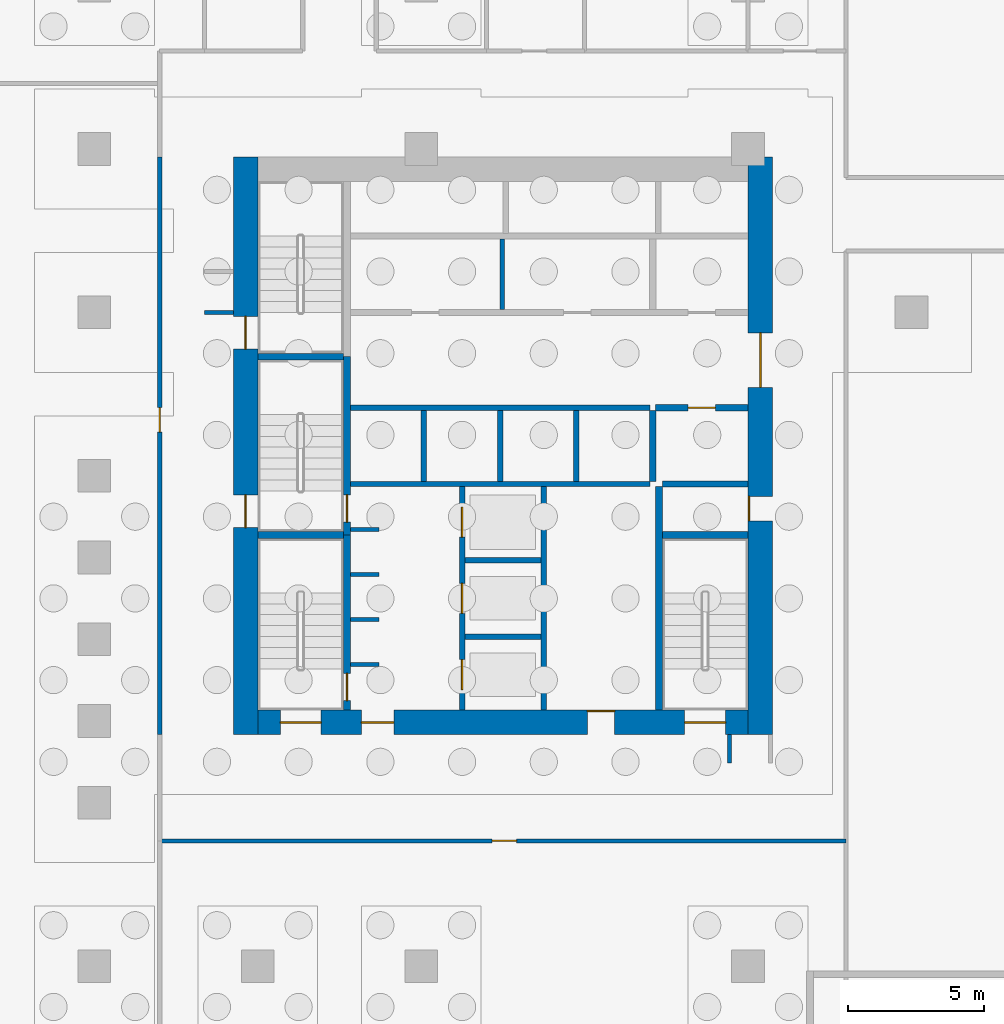
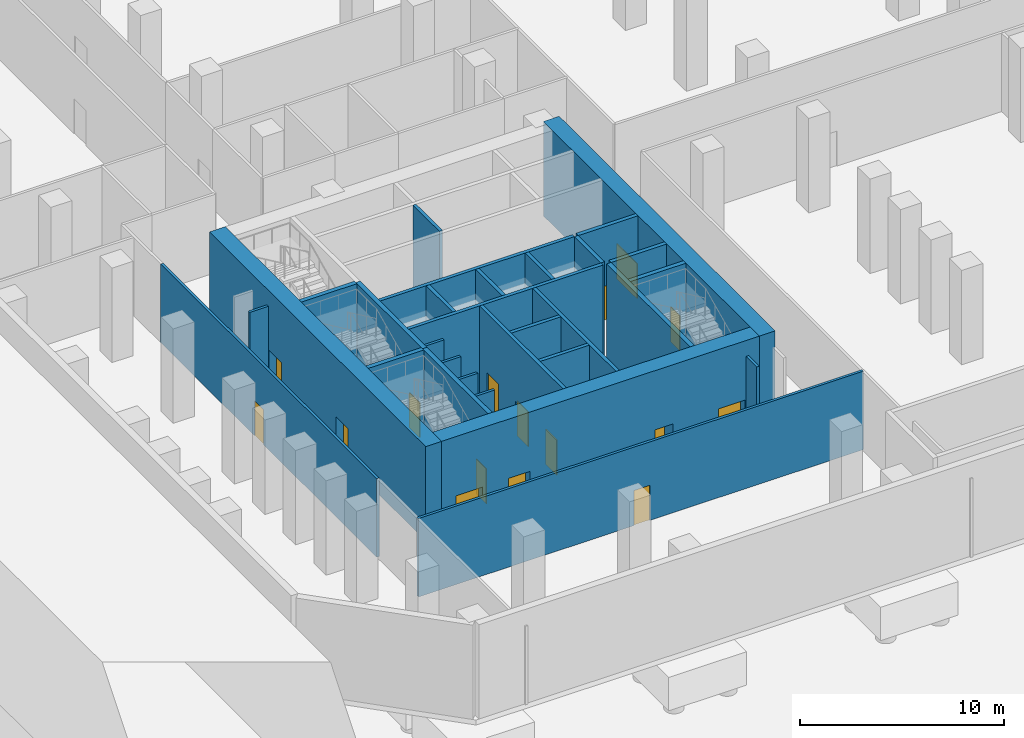
# One storey, part 5 of 16: 30 walls, 16 doors, 16 openings.
"""IFC4 building model written with IfcOpenShell, lengths in metres."""

from ifc_helpers import new_model, si_unit, direction, frame, frame_2d, origin, place, context, subcontext, project, spatial, rectangle, extrude, material, layer, layer_set, type_object, element, fill, save


model = new_model("IFC4")

# Units and contexts
model_context = context("Model", 3, precision=1e-05, world=origin(), true_north=direction((0.0, 1.0)))
body_context = subcontext(model_context, "Body", "Model", "MODEL_VIEW")
ifc_project = project(units=[si_unit("LENGTHUNIT", "METRE"), si_unit("AREAUNIT", "SQUARE_METRE"), si_unit("VOLUMEUNIT", "CUBIC_METRE"), si_unit("PLANEANGLEUNIT", "RADIAN"), si_unit("MASSUNIT", "GRAM", prefix="KILO")], contexts=[model_context])

# Site, building, storey
site_placement = place(None, origin())
site = spatial("IfcSite", under=ifc_project, at=site_placement, CompositionType="ELEMENT")
building_placement = place(site_placement, origin())
building = spatial("IfcBuilding", under=site, at=building_placement, Name="Welwitschia Terrace Campus", CompositionType="ELEMENT")
storey_placement = place(building_placement, frame((0.0, 0.0, -6.0)))
storey = spatial("IfcBuildingStorey", under=building, at=storey_placement, Name="B1", CompositionType="ELEMENT", Elevation=-6.0)

# Walls
ifc_material_1 = material(Name="Concrete C32/40", Category="concrete")
ifc_layer_1 = layer(ifc_material_1, 0.175048828125)
ifc_layer_set_1 = layer_set([ifc_layer_1], Name="Concrete C32/40")
wall_type_1 = type_object("IfcWallType", Name="Core partition 175 Concrete C32/40", PredefinedType="PARTITIONING", material=ifc_layer_set_1)
wall_1_placement = place(storey_placement, frame((14.97509765625, 20.10009765625, 0.0), z_axis=(0.0, 0.0, 1.0), x_axis=(0.0, 1.0, 0.0)))
element("IfcWall", 1, at=wall_1_placement, inside=storey, type_object=wall_type_1, Name="Core partition", PredefinedType="PARTITIONING", context=body_context, shape_type="SweptSolid", body=[
    extrude(rectangle(XDim=2.599853515625, YDim=0.175048828125, at=frame_2d((1.2998046875, 0.0))), origin(), (0.0, 0.0, 1.0), 5.64990234375),
])
ifc_material_2 = material(Name="Concrete C32/40", Category="concrete")
ifc_layer_2 = layer(ifc_material_2, 0.22509765625)
ifc_layer_set_2 = layer_set([ifc_layer_2], Name="Concrete C32/40")
wall_type_2 = type_object("IfcWallType", Name="Core partition 225 Concrete C32/40", PredefinedType="PARTITIONING", material=ifc_layer_set_2)
wall_2_placement = place(storey_placement, frame((20.85009765625, 13.699951171875, 0.0), z_axis=(0.0, 0.0, 1.0), x_axis=(1.0, 0.0, 0.0)))
element("IfcWall", 2, at=wall_2_placement, inside=storey, type_object=wall_type_2, Name="Core partition", PredefinedType="PARTITIONING", context=body_context, shape_type="SweptSolid", body=[
    extrude(rectangle(XDim=3.14990234375, YDim=0.22509765625, at=frame_2d((1.574951171875, 0.0))), origin(), (0.0, 0.0, 1.0), 5.64990234375),
])

# Wall, opening, door
wall_3_placement = place(storey_placement, frame((20.60009765625, 16.5, 0.0), z_axis=(0.0, 0.0, 1.0), x_axis=(1.0, 0.0, 0.0)))
wall_3 = element("IfcWall", 3, at=wall_3_placement, inside=storey, type_object=wall_type_2, Name="Core partition", PredefinedType="PARTITIONING", context=body_context, shape_type="SweptSolid", body=[
    extrude(rectangle(XDim=3.39990234375, YDim=0.22509765625, at=frame_2d((1.699951171875, 0.0))), origin(), (0.0, 0.0, 1.0), 5.64990234375),
])
opening_1_placement = place(wall_3_placement, frame((1.199951171875, 0.0, 0.0)))
opening_1 = element("IfcOpeningElement", 4, at=opening_1_placement, cuts=wall_3, Name="Opening DR10", PredefinedType="OPENING", context=body_context, shape_type="SweptSolid", body=[
    extrude(rectangle(XDim=1.0, YDim=2.10009765625, at=frame_2d((0.5, 1.050048828125))), frame((0.0, 0.12255859375, 0.0), z_axis=(0.0, -1.0, 0.0), x_axis=(1.0, 0.0, 0.0)), (0.0, 0.0, 1.0), 0.2451171875),
])
ifc_material_3 = material(Name="Steel S275", Category="steel")
door_type_1 = type_object("IfcDoorType", Name="Core door DR10", OperationType="SINGLE_SWING_LEFT", PredefinedType="DOOR", material=ifc_material_3)
door_1_placement = place(opening_1_placement, origin())
door_1 = element("IfcDoor", 5, at=door_1_placement, inside=storey, type_object=door_type_1, Name="Door EL-D", OperationType="SINGLE_SWING_RIGHT", OverallHeight=2.10009765625, OverallWidth=1.0, PredefinedType="DOOR", context=body_context, shape_type="SweptSolid", body=[
    extrude(rectangle(XDim=1.0, YDim=2.10009765625, at=frame_2d((0.5, 1.050048828125))), frame((0.0, 0.02490234375, 0.0), z_axis=(0.0, -1.0, 0.0), x_axis=(1.0, 0.0, 0.0)), (0.0, 0.0, 1.0), 0.050048828125),
])
fill(opening_1, door_1)

# Walls
wall_4_placement = place(storey_placement, frame((20.5, 13.800048828125, 0.0), z_axis=(0.0, 0.0, 1.0), x_axis=(0.0, 1.0, 0.0)))
element("IfcWall", 6, at=wall_4_placement, inside=storey, type_object=wall_type_2, Name="Shaft wall", PredefinedType="PARTITIONING", context=body_context, shape_type="SweptSolid", body=[
    extrude(rectangle(XDim=2.599853515625, YDim=0.22509765625, at=frame_2d((1.2998046875, 0.0))), origin(), (0.0, 0.0, 1.0), 5.64990234375),
])
ifc_material_4 = material(Name="Concrete C50/60", Category="concrete")
ifc_layer_3 = layer(ifc_material_4, 0.14990234375)
ifc_layer_set_3 = layer_set([ifc_layer_3], Name="Concrete C50/60")
wall_type_3 = type_object("IfcWallType", Name="Core wall 150 Concrete C50/60", PredefinedType="SHEAR", material=ifc_layer_set_3)
for number, where, z_axis, x_axis, name in (
    (7, (9.39990234375, 7.074951171875, 0.0), (0.0, 0.0, 1.0), (1.0, 0.0, 0.0), "Core wall"),
    (8, (9.39990234375, 8.72509765625, 0.0), (0.0, 0.0, 1.0), (1.0, 0.0, 0.0), "Core wall"),
    (9, (9.39990234375, 10.375, 0.0), (0.0, 0.0, 1.0), (1.0, 0.0, 0.0), "Core wall"),
    (10, (9.39990234375, 12.02490234375, 0.0), (0.0, 0.0, 1.0), (1.0, 0.0, 0.0), "Core wall"),
):
    element("IfcWall", number, at=place(storey_placement, frame(where, z_axis=z_axis, x_axis=x_axis)), inside=storey, type_object=wall_type_3, Name=name, PredefinedType="SHEAR", context=body_context, shape_type="SweptSolid", body=[
        extrude(rectangle(XDim=1.050048828125, YDim=0.14990234375, at=frame_2d((0.52490234375, 0.0))), origin(), (0.0, 0.0, 1.0), 5.64990234375),
    ])
ifc_material_5 = material(Name="Concrete C50/60", Category="concrete")
ifc_layer_4 = layer(ifc_material_5, 0.199951171875)
ifc_layer_set_4 = layer_set([ifc_layer_4], Name="Concrete C50/60")
wall_type_4 = type_object("IfcWallType", Name="Core wall 200 Concrete C50/60", PredefinedType="SHEAR", material=ifc_layer_set_4)
for number, where, z_axis, x_axis, name in (
    (11, (13.60009765625, 8.10009765625, 0.0), (0.0, 0.0, 1.0), (1.0, 0.0, 0.0), "Core wall"),
    (12, (13.60009765625, 10.89990234375, 0.0), (0.0, 0.0, 1.0), (1.0, 0.0, 0.0), "Core wall"),
):
    element("IfcWall", number, at=place(storey_placement, frame(where, z_axis=z_axis, x_axis=x_axis)), inside=storey, type_object=wall_type_4, Name=name, PredefinedType="SHEAR", context=body_context, shape_type="SweptSolid", body=[
        extrude(rectangle(XDim=2.7998046875, YDim=0.199951171875, at=frame_2d((1.39990234375, 0.0))), origin(), (0.0, 0.0, 1.0), 5.64990234375),
    ])
for number, where, z_axis, x_axis, name in (
    (13, (9.39990234375, 13.699951171875, 0.0), (0.0, 0.0, 1.0), (1.0, 0.0, 0.0), "Core wall"),
    (14, (9.39990234375, 16.5, 0.0), (0.0, 0.0, 1.0), (1.0, 0.0, 0.0), "Core wall"),
):
    element("IfcWall", number, at=place(storey_placement, frame(where, z_axis=z_axis, x_axis=x_axis)), inside=storey, type_object=wall_type_4, Name=name, PredefinedType="SHEAR", context=body_context, shape_type="SweptSolid", body=[
        extrude(rectangle(XDim=11.0, YDim=0.199951171875, at=frame_2d((5.5, 0.0))), origin(), (0.0, 0.0, 1.0), 5.64990234375),
    ])
wall_5_placement = place(storey_placement, frame((12.10009765625, 13.800048828125, 0.0), z_axis=(0.0, 0.0, 1.0), x_axis=(0.0, 1.0, 0.0)))
element("IfcWall", 15, at=wall_5_placement, inside=storey, type_object=wall_type_4, Name="Core wall", PredefinedType="SHEAR", context=body_context, shape_type="SweptSolid", body=[
    extrude(rectangle(XDim=2.599853515625, YDim=0.199951171875, at=frame_2d((1.2998046875, 0.0))), origin(), (0.0, 0.0, 1.0), 5.64990234375),
])

# Wall, openings, doors
wall_6_placement = place(storey_placement, frame((13.5, 5.39990234375, 0.0), z_axis=(0.0, 0.0, 1.0), x_axis=(0.0, 1.0, 0.0)))
wall_6 = element("IfcWall", 16, at=wall_6_placement, inside=storey, type_object=wall_type_4, Name="Core wall", PredefinedType="SHEAR", context=body_context, shape_type="SweptSolid", body=[
    extrude(rectangle(XDim=8.2001953125, YDim=0.199951171875, at=frame_2d((4.10009765625, 0.0))), origin(), (0.0, 0.0, 1.0), 5.64990234375),
])
opening_2_placement = place(wall_6_placement, frame((0.75, 0.0, 0.0)))
opening_2 = element("IfcOpeningElement", 17, at=opening_2_placement, cuts=wall_6, Name="Opening LD", PredefinedType="OPENING", context=body_context, shape_type="SweptSolid", body=[
    extrude(rectangle(XDim=1.10009765625, YDim=2.10009765625, at=frame_2d((0.550048828125, 1.050048828125))), frame((0.0, 0.10986328125, 0.0), z_axis=(0.0, -1.0, 0.0), x_axis=(1.0, 0.0, 0.0)), (0.0, 0.0, 1.0), 0.219970703125),
])
opening_3_placement = place(wall_6_placement, frame((3.550048828125, 0.0, 0.0)))
opening_3 = element("IfcOpeningElement", 18, at=opening_3_placement, cuts=wall_6, Name="Opening LD", PredefinedType="OPENING", context=body_context, shape_type="SweptSolid", body=[
    extrude(rectangle(XDim=1.10009765625, YDim=2.10009765625, at=frame_2d((0.550048828125, 1.050048828125))), frame((0.0, 0.10986328125, 0.0), z_axis=(0.0, -1.0, 0.0), x_axis=(1.0, 0.0, 0.0)), (0.0, 0.0, 1.0), 0.219970703125),
])
opening_4_placement = place(wall_6_placement, frame((6.35009765625, 0.0, 0.0)))
opening_4 = element("IfcOpeningElement", 19, at=opening_4_placement, cuts=wall_6, Name="Opening LD", PredefinedType="OPENING", context=body_context, shape_type="SweptSolid", body=[
    extrude(rectangle(XDim=1.10009765625, YDim=2.10009765625, at=frame_2d((0.550048828125, 1.050048828125))), frame((0.0, 0.10986328125, 0.0), z_axis=(0.0, -1.0, 0.0), x_axis=(1.0, 0.0, 0.0)), (0.0, 0.0, 1.0), 0.219970703125),
])
ifc_material_6 = material(Name="Stainless steel 304", Category="steel")
door_type_2 = type_object("IfcDoorType", Name="Lift landing door", OperationType="DOUBLE_DOOR_SLIDING", PredefinedType="DOOR", material=ifc_material_6)
door_2_placement = place(opening_2_placement, origin())
door_2 = element("IfcDoor", 20, at=door_2_placement, inside=storey, type_object=door_type_2, Name="Landing door FF1", OperationType="DOUBLE_DOOR_SLIDING", OverallHeight=2.10009765625, OverallWidth=1.10009765625, PredefinedType="DOOR", context=body_context, shape_type="SweptSolid", body=[
    extrude(rectangle(XDim=1.10009765625, YDim=2.10009765625, at=frame_2d((0.550048828125, 1.050048828125))), frame((0.0, 0.02490234375, 0.0), z_axis=(0.0, -1.0, 0.0), x_axis=(1.0, 0.0, 0.0)), (0.0, 0.0, 1.0), 0.050048828125),
])
fill(opening_2, door_2)
door_3_placement = place(opening_3_placement, origin())
door_3 = element("IfcDoor", 21, at=door_3_placement, inside=storey, type_object=door_type_2, Name="Landing door FF2", OperationType="DOUBLE_DOOR_SLIDING", OverallHeight=2.10009765625, OverallWidth=1.10009765625, PredefinedType="DOOR", context=body_context, shape_type="SweptSolid", body=[
    extrude(rectangle(XDim=1.10009765625, YDim=2.10009765625, at=frame_2d((0.550048828125, 1.050048828125))), frame((0.0, 0.02490234375, 0.0), z_axis=(0.0, -1.0, 0.0), x_axis=(1.0, 0.0, 0.0)), (0.0, 0.0, 1.0), 0.050048828125),
])
fill(opening_3, door_3)
door_4_placement = place(opening_4_placement, origin())
door_4 = element("IfcDoor", 22, at=door_4_placement, inside=storey, type_object=door_type_2, Name="Landing door SV1", OperationType="DOUBLE_DOOR_SLIDING", OverallHeight=2.10009765625, OverallWidth=1.10009765625, PredefinedType="DOOR", context=body_context, shape_type="SweptSolid", body=[
    extrude(rectangle(XDim=1.10009765625, YDim=2.10009765625, at=frame_2d((0.550048828125, 1.050048828125))), frame((0.0, 0.02490234375, 0.0), z_axis=(0.0, -1.0, 0.0), x_axis=(1.0, 0.0, 0.0)), (0.0, 0.0, 1.0), 0.050048828125),
])
fill(opening_4, door_4)

# Walls
wall_7_placement = place(storey_placement, frame((14.89990234375, 13.800048828125, 0.0), z_axis=(0.0, 0.0, 1.0), x_axis=(0.0, 1.0, 0.0)))
element("IfcWall", 23, at=wall_7_placement, inside=storey, type_object=wall_type_4, Name="Core wall", PredefinedType="SHEAR", context=body_context, shape_type="SweptSolid", body=[
    extrude(rectangle(XDim=2.599853515625, YDim=0.199951171875, at=frame_2d((1.2998046875, 0.0))), origin(), (0.0, 0.0, 1.0), 5.64990234375),
])
wall_8_placement = place(storey_placement, frame((16.5, 5.39990234375, 0.0), z_axis=(0.0, 0.0, 1.0), x_axis=(0.0, 1.0, 0.0)))
element("IfcWall", 24, at=wall_8_placement, inside=storey, type_object=wall_type_4, Name="Core wall", PredefinedType="SHEAR", context=body_context, shape_type="SweptSolid", body=[
    extrude(rectangle(XDim=8.2001953125, YDim=0.199951171875, at=frame_2d((4.10009765625, 0.0))), origin(), (0.0, 0.0, 1.0), 5.64990234375),
])
wall_9_placement = place(storey_placement, frame((17.699951171875, 13.800048828125, 0.0), z_axis=(0.0, 0.0, 1.0), x_axis=(0.0, 1.0, 0.0)))
element("IfcWall", 25, at=wall_9_placement, inside=storey, type_object=wall_type_4, Name="Core wall", PredefinedType="SHEAR", context=body_context, shape_type="SweptSolid", body=[
    extrude(rectangle(XDim=2.599853515625, YDim=0.199951171875, at=frame_2d((1.2998046875, 0.0))), origin(), (0.0, 0.0, 1.0), 5.64990234375),
])
ifc_material_7 = material(Name="Concrete C50/60", Category="concrete")
ifc_layer_5 = layer(ifc_material_7, 0.25)
ifc_layer_set_5 = layer_set([ifc_layer_5], Name="Concrete C50/60")
wall_type_5 = type_object("IfcWallType", Name="Core wall 250 Concrete C50/60", PredefinedType="SHEAR", material=ifc_layer_set_5)
for number, where, z_axis, x_axis, name in (
    (26, (6.0, 11.824951171875, 0.0), (0.0, 0.0, 1.0), (1.0, 0.0, 0.0), "Core wall"),
    (27, (20.85009765625, 11.824951171875, 0.0), (0.0, 0.0, 1.0), (1.0, 0.0, 0.0), "Core wall"),
    (28, (6.0, 18.375, 0.0), (0.0, 0.0, 1.0), (1.0, 0.0, 0.0), "Core wall"),
):
    element("IfcWall", number, at=place(storey_placement, frame(where, z_axis=z_axis, x_axis=x_axis)), inside=storey, type_object=wall_type_5, Name=name, PredefinedType="SHEAR", context=body_context, shape_type="SweptSolid", body=[
        extrude(rectangle(XDim=3.14990234375, YDim=0.25, at=frame_2d((1.574951171875, 0.0))), origin(), (0.0, 0.0, 1.0), 5.64990234375),
    ])

# Wall, opening, door
wall_10_placement = place(storey_placement, frame((9.27490234375, 11.824951171875, 0.0), z_axis=(0.0, 0.0, 1.0), x_axis=(0.0, -1.0, 0.0)))
wall_10 = element("IfcWall", 29, at=wall_10_placement, inside=storey, type_object=wall_type_5, Name="Core wall", PredefinedType="SHEAR", context=body_context, shape_type="SweptSolid", body=[
    extrude(rectangle(XDim=6.425048828125, YDim=0.25, at=frame_2d((3.21240234375, 0.0))), origin(), (0.0, 0.0, 1.0), 5.64990234375),
])
opening_5_placement = place(wall_10_placement, frame((5.074951171875, 0.0, 0.0)))
opening_5 = element("IfcOpeningElement", 30, at=opening_5_placement, cuts=wall_10, Name="Opening DS10", PredefinedType="OPENING", context=body_context, shape_type="SweptSolid", body=[
    extrude(rectangle(XDim=1.0, YDim=2.10009765625, at=frame_2d((0.5, 1.050048828125))), frame((0.0, 0.135009765625, 0.0), z_axis=(0.0, -1.0, 0.0), x_axis=(1.0, 0.0, 0.0)), (0.0, 0.0, 1.0), 0.27001953125),
])
ifc_material_8 = material(Name="Steel S275", Category="steel")
door_type_3 = type_object("IfcDoorType", Name="Core door DS10", OperationType="SINGLE_SWING_LEFT", PredefinedType="DOOR", material=ifc_material_8)
door_5_placement = place(opening_5_placement, origin())
door_5 = element("IfcDoor", 31, at=door_5_placement, inside=storey, type_object=door_type_3, Name="Door S1-FL", OperationType="SINGLE_SWING_RIGHT", OverallHeight=2.10009765625, OverallWidth=1.0, PredefinedType="DOOR", context=body_context, shape_type="SweptSolid", body=[
    extrude(rectangle(XDim=1.0, YDim=2.10009765625, at=frame_2d((0.5, 1.050048828125))), frame((0.0, 0.02490234375, 0.0), z_axis=(0.0, -1.0, 0.0), x_axis=(1.0, 0.0, 0.0)), (0.0, 0.0, 1.0), 0.050048828125),
])
fill(opening_5, door_5)

wall_11_placement = place(storey_placement, frame((9.27490234375, 18.375, 0.0), z_axis=(0.0, 0.0, 1.0), x_axis=(0.0, -1.0, 0.0)))
wall_11 = element("IfcWall", 32, at=wall_11_placement, inside=storey, type_object=wall_type_5, Name="Core wall", PredefinedType="SHEAR", context=body_context, shape_type="SweptSolid", body=[
    extrude(rectangle(XDim=6.550048828125, YDim=0.25, at=frame_2d((3.27490234375, 0.0))), origin(), (0.0, 0.0, 1.0), 5.64990234375),
])
opening_6_placement = place(wall_11_placement, frame((5.074951171875, 0.0, 0.0)))
opening_6 = element("IfcOpeningElement", 33, at=opening_6_placement, cuts=wall_11, Name="Opening DS10", PredefinedType="OPENING", context=body_context, shape_type="SweptSolid", body=[
    extrude(rectangle(XDim=1.0, YDim=2.10009765625, at=frame_2d((0.5, 1.050048828125))), frame((0.0, 0.135009765625, 0.0), z_axis=(0.0, -1.0, 0.0), x_axis=(1.0, 0.0, 0.0)), (0.0, 0.0, 1.0), 0.27001953125),
])
door_6_placement = place(opening_6_placement, origin())
door_6 = element("IfcDoor", 34, at=door_6_placement, inside=storey, type_object=door_type_3, Name="Door S3-FL", OperationType="SINGLE_SWING_RIGHT", OverallHeight=2.10009765625, OverallWidth=1.0, PredefinedType="DOOR", context=body_context, shape_type="SweptSolid", body=[
    extrude(rectangle(XDim=1.0, YDim=2.10009765625, at=frame_2d((0.5, 1.050048828125))), frame((0.0, 0.02490234375, 0.0), z_axis=(0.0, -1.0, 0.0), x_axis=(1.0, 0.0, 0.0)), (0.0, 0.0, 1.0), 0.050048828125),
])
fill(opening_6, door_6)

# Wall
wall_12_placement = place(storey_placement, frame((20.72509765625, 5.39990234375, 0.0), z_axis=(0.0, 0.0, 1.0), x_axis=(0.0, 1.0, 0.0)))
element("IfcWall", 35, at=wall_12_placement, inside=storey, type_object=wall_type_5, Name="Core wall", PredefinedType="SHEAR", context=body_context, shape_type="SweptSolid", body=[
    extrude(rectangle(XDim=8.2001953125, YDim=0.25, at=frame_2d((4.10009765625, 0.0))), origin(), (0.0, 0.0, 1.0), 5.64990234375),
])

# Wall, openings, doors
ifc_material_9 = material(Name="Concrete C70/85", Category="concrete")
ifc_layer_6 = layer(ifc_material_9, 0.89990234375)
ifc_layer_set_6 = layer_set([ifc_layer_6], Name="Concrete C70/85")
wall_type_6 = type_object("IfcWallType", Name="Core wall 900 Concrete C70/85", PredefinedType="SHEAR", material=ifc_layer_set_6)
wall_13_placement = place(storey_placement, frame((5.550048828125, 4.5, 0.0), z_axis=(0.0, 0.0, 1.0), x_axis=(0.0, 1.0, 0.0)))
wall_13 = element("IfcWall", 36, at=wall_13_placement, inside=storey, type_object=wall_type_6, Name="Core outer wall", PredefinedType="SHEAR", context=body_context, shape_type="SweptSolid", body=[
    extrude(rectangle(XDim=21.199951171875, YDim=0.89990234375, at=frame_2d((10.60009765625, 0.0))), origin(), (0.0, 0.0, 1.0), 5.64990234375),
])
opening_7_placement = place(wall_13_placement, frame((7.60009765625, 0.0, 0.0)))
opening_7 = element("IfcOpeningElement", 37, at=opening_7_placement, cuts=wall_13, Name="Opening DS12", PredefinedType="OPENING", context=body_context, shape_type="SweptSolid", body=[
    extrude(rectangle(XDim=1.199951171875, YDim=2.10009765625, at=frame_2d((0.60009765625, 1.050048828125))), frame((0.0, 0.4599609375, 0.0), z_axis=(0.0, -1.0, 0.0), x_axis=(1.0, 0.0, 0.0)), (0.0, 0.0, 1.0), 0.919921875),
])
opening_8_placement = place(wall_13_placement, frame((14.14990234375, 0.0, 0.0)))
opening_8 = element("IfcOpeningElement", 38, at=opening_8_placement, cuts=wall_13, Name="Opening DS12", PredefinedType="OPENING", context=body_context, shape_type="SweptSolid", body=[
    extrude(rectangle(XDim=1.199951171875, YDim=2.10009765625, at=frame_2d((0.60009765625, 1.050048828125))), frame((0.0, 0.4599609375, 0.0), z_axis=(0.0, -1.0, 0.0), x_axis=(1.0, 0.0, 0.0)), (0.0, 0.0, 1.0), 0.919921875),
])
ifc_material_10 = material(Name="Steel S275", Category="steel")
door_type_4 = type_object("IfcDoorType", Name="Core door DS12", OperationType="SINGLE_SWING_LEFT", PredefinedType="DOOR", material=ifc_material_10)
door_7_placement = place(opening_7_placement, origin())
door_7 = element("IfcDoor", 39, at=door_7_placement, inside=storey, type_object=door_type_4, Name="Door S3-out", OperationType="SINGLE_SWING_LEFT", OverallHeight=2.10009765625, OverallWidth=1.199951171875, PredefinedType="DOOR", context=body_context, shape_type="SweptSolid", body=[
    extrude(rectangle(XDim=1.199951171875, YDim=2.10009765625, at=frame_2d((0.60009765625, 1.050048828125))), frame((0.0, 0.02490234375, 0.0), z_axis=(0.0, -1.0, 0.0), x_axis=(1.0, 0.0, 0.0)), (0.0, 0.0, 1.0), 0.050048828125),
])
fill(opening_7, door_7)
door_8_placement = place(opening_8_placement, origin())
door_8 = element("IfcDoor", 40, at=door_8_placement, inside=storey, type_object=door_type_4, Name="Door S4-out", OperationType="SINGLE_SWING_RIGHT", OverallHeight=2.10009765625, OverallWidth=1.199951171875, PredefinedType="DOOR", context=body_context, shape_type="SweptSolid", body=[
    extrude(rectangle(XDim=1.199951171875, YDim=2.10009765625, at=frame_2d((0.60009765625, 1.050048828125))), frame((0.0, 0.02490234375, 0.0), z_axis=(0.0, -1.0, 0.0), x_axis=(1.0, 0.0, 0.0)), (0.0, 0.0, 1.0), 0.050048828125),
])
fill(opening_8, door_8)

wall_14_placement = place(storey_placement, frame((24.449951171875, 25.699951171875, 0.0), z_axis=(0.0, 0.0, 1.0), x_axis=(0.0, -1.0, 0.0)))
wall_14 = element("IfcWall", 41, at=wall_14_placement, inside=storey, type_object=wall_type_6, Name="Core outer wall", PredefinedType="SHEAR", context=body_context, shape_type="SweptSolid", body=[
    extrude(rectangle(XDim=21.199951171875, YDim=0.89990234375, at=frame_2d((10.60009765625, 0.0))), origin(), (0.0, 0.0, 1.0), 5.64990234375),
])
opening_9_placement = place(wall_14_placement, frame((12.449951171875, 0.0, 0.0)))
opening_9 = element("IfcOpeningElement", 42, at=opening_9_placement, cuts=wall_14, Name="Opening DR09", PredefinedType="OPENING", context=body_context, shape_type="SweptSolid", body=[
    extrude(rectangle(XDim=0.89990234375, YDim=2.10009765625, at=frame_2d((0.449951171875, 1.050048828125))), frame((0.0, 0.4599609375, 0.0), z_axis=(0.0, -1.0, 0.0), x_axis=(1.0, 0.0, 0.0)), (0.0, 0.0, 1.0), 0.919921875),
])
opening_10_placement = place(wall_14_placement, frame((6.449951171875, 0.0, 0.0)))
opening_10 = element("IfcOpeningElement", 43, at=opening_10_placement, cuts=wall_14, Name="Opening DL20", PredefinedType="OPENING", context=body_context, shape_type="SweptSolid", body=[
    extrude(rectangle(XDim=2.0, YDim=2.10009765625, at=frame_2d((1.0, 1.050048828125))), frame((0.0, 0.4599609375, 0.0), z_axis=(0.0, -1.0, 0.0), x_axis=(1.0, 0.0, 0.0)), (0.0, 0.0, 1.0), 0.919921875),
])
ifc_material_11 = material(Name="Steel S275", Category="steel")
door_type_5 = type_object("IfcDoorType", Name="Core door DL20", OperationType="DOUBLE_DOOR_SINGLE_SWING", PredefinedType="DOOR", material=ifc_material_11)
door_9_placement = place(opening_10_placement, origin())
door_9 = element("IfcDoor", 44, at=door_9_placement, inside=storey, type_object=door_type_5, Name="Door LOBBY-out", OperationType="DOUBLE_DOOR_SINGLE_SWING", OverallHeight=2.10009765625, OverallWidth=2.0, PredefinedType="DOOR", context=body_context, shape_type="SweptSolid", body=[
    extrude(rectangle(XDim=2.0, YDim=2.10009765625, at=frame_2d((1.0, 1.050048828125))), frame((0.0, 0.02490234375, 0.0), z_axis=(0.0, -1.0, 0.0), x_axis=(1.0, 0.0, 0.0)), (0.0, 0.0, 1.0), 0.050048828125),
])
fill(opening_10, door_9)
ifc_material_12 = material(Name="Steel S275", Category="steel")
door_type_6 = type_object("IfcDoorType", Name="Core door DR09", OperationType="SINGLE_SWING_LEFT", PredefinedType="DOOR", material=ifc_material_12)
door_10_placement = place(opening_9_placement, origin())
door_10 = element("IfcDoor", 45, at=door_10_placement, inside=storey, type_object=door_type_6, Name="Door F1B-out", OperationType="SINGLE_SWING_RIGHT", OverallHeight=2.10009765625, OverallWidth=0.89990234375, PredefinedType="DOOR", context=body_context, shape_type="SweptSolid", body=[
    extrude(rectangle(XDim=0.89990234375, YDim=2.10009765625, at=frame_2d((0.449951171875, 1.050048828125))), frame((0.0, -0.39013671875, 0.0), z_axis=(0.0, -1.0, 0.0), x_axis=(1.0, 0.0, 0.0)), (0.0, 0.0, 1.0), 0.050048828125),
])
fill(opening_9, door_10)

wall_15_placement = place(storey_placement, frame((24.0, 4.949951171875, 0.0), z_axis=(0.0, 0.0, 1.0), x_axis=(-1.0, 0.0, 0.0)))
wall_15 = element("IfcWall", 46, at=wall_15_placement, inside=storey, type_object=wall_type_6, Name="Core outer wall", PredefinedType="SHEAR", context=body_context, shape_type="SweptSolid", body=[
    extrude(rectangle(XDim=18.0, YDim=0.89990234375, at=frame_2d((9.0, 0.0))), origin(), (0.0, 0.0, 1.0), 5.64990234375),
])
opening_11_placement = place(wall_15_placement, frame((15.675048828125, 0.0, 0.0)))
opening_11 = element("IfcOpeningElement", 47, at=opening_11_placement, cuts=wall_15, Name="Opening DS15", PredefinedType="OPENING", context=body_context, shape_type="SweptSolid", body=[
    extrude(rectangle(XDim=1.5, YDim=2.10009765625, at=frame_2d((0.75, 1.050048828125))), frame((0.0, 0.4599609375, 0.0), z_axis=(0.0, -1.0, 0.0), x_axis=(1.0, 0.0, 0.0)), (0.0, 0.0, 1.0), 0.919921875),
])
opening_12_placement = place(wall_15_placement, frame((0.824951171875, 0.0, 0.0)))
opening_12 = element("IfcOpeningElement", 48, at=opening_12_placement, cuts=wall_15, Name="Opening DS15", PredefinedType="OPENING", context=body_context, shape_type="SweptSolid", body=[
    extrude(rectangle(XDim=1.5, YDim=2.10009765625, at=frame_2d((0.75, 1.050048828125))), frame((0.0, 0.4599609375, 0.0), z_axis=(0.0, -1.0, 0.0), x_axis=(1.0, 0.0, 0.0)), (0.0, 0.0, 1.0), 0.919921875),
])
opening_13_placement = place(wall_15_placement, frame((13.0, 0.0, 0.0)))
opening_13 = element("IfcOpeningElement", 49, at=opening_13_placement, cuts=wall_15, Name="Opening DF12", PredefinedType="OPENING", context=body_context, shape_type="SweptSolid", body=[
    extrude(rectangle(XDim=1.199951171875, YDim=2.10009765625, at=frame_2d((0.60009765625, 1.050048828125))), frame((0.0, 0.4599609375, 0.0), z_axis=(0.0, -1.0, 0.0), x_axis=(1.0, 0.0, 0.0)), (0.0, 0.0, 1.0), 0.919921875),
])
opening_14_placement = place(wall_15_placement, frame((4.89990234375, 0.0, 0.0)))
opening_14 = element("IfcOpeningElement", 50, at=opening_14_placement, cuts=wall_15, Name="Opening DR10", PredefinedType="OPENING", context=body_context, shape_type="SweptSolid", body=[
    extrude(rectangle(XDim=1.0, YDim=2.10009765625, at=frame_2d((0.5, 1.050048828125))), frame((0.0, 0.4599609375, 0.0), z_axis=(0.0, -1.0, 0.0), x_axis=(1.0, 0.0, 0.0)), (0.0, 0.0, 1.0), 0.919921875),
])
ifc_material_13 = material(Name="Steel S275", Category="steel")
door_type_7 = type_object("IfcDoorType", Name="Core door DF12", OperationType="SINGLE_SWING_LEFT", PredefinedType="DOOR", material=ifc_material_13)
door_11_placement = place(opening_13_placement, origin())
door_11 = element("IfcDoor", 51, at=door_11_placement, inside=storey, type_object=door_type_7, Name="Door FL-out", OperationType="SINGLE_SWING_RIGHT", OverallHeight=2.10009765625, OverallWidth=1.199951171875, PredefinedType="DOOR", context=body_context, shape_type="SweptSolid", body=[
    extrude(rectangle(XDim=1.199951171875, YDim=2.10009765625, at=frame_2d((0.60009765625, 1.050048828125))), frame((0.0, 0.02490234375, 0.0), z_axis=(0.0, -1.0, 0.0), x_axis=(1.0, 0.0, 0.0)), (0.0, 0.0, 1.0), 0.050048828125),
])
fill(opening_13, door_11)
door_12_placement = place(opening_14_placement, origin())
door_12 = element("IfcDoor", 52, at=door_12_placement, inside=storey, type_object=door_type_1, Name="Door F1-out", OperationType="SINGLE_SWING_LEFT", OverallHeight=2.10009765625, OverallWidth=1.0, PredefinedType="DOOR", context=body_context, shape_type="SweptSolid", body=[
    extrude(rectangle(XDim=1.0, YDim=2.10009765625, at=frame_2d((0.5, 1.050048828125))), frame((0.0, -0.39013671875, 0.0), z_axis=(0.0, -1.0, 0.0), x_axis=(1.0, 0.0, 0.0)), (0.0, 0.0, 1.0), 0.050048828125),
])
fill(opening_14, door_12)
ifc_material_14 = material(Name="Steel S275", Category="steel")
door_type_8 = type_object("IfcDoorType", Name="Core door DS15", OperationType="DOUBLE_DOOR_SINGLE_SWING", PredefinedType="DOOR", material=ifc_material_14)
door_13_placement = place(opening_11_placement, origin())
door_13 = element("IfcDoor", 53, at=door_13_placement, inside=storey, type_object=door_type_8, Name="Door S1-out", OperationType="DOUBLE_DOOR_SINGLE_SWING", OverallHeight=2.10009765625, OverallWidth=1.5, PredefinedType="DOOR", context=body_context, shape_type="SweptSolid", body=[
    extrude(rectangle(XDim=1.5, YDim=2.10009765625, at=frame_2d((0.75, 1.050048828125))), frame((0.0, 0.02490234375, 0.0), z_axis=(0.0, -1.0, 0.0), x_axis=(1.0, 0.0, 0.0)), (0.0, 0.0, 1.0), 0.050048828125),
])
fill(opening_11, door_13)
door_14_placement = place(opening_12_placement, origin())
door_14 = element("IfcDoor", 54, at=door_14_placement, inside=storey, type_object=door_type_8, Name="Door S2-out", OperationType="DOUBLE_DOOR_SINGLE_SWING", OverallHeight=2.10009765625, OverallWidth=1.5, PredefinedType="DOOR", context=body_context, shape_type="SweptSolid", body=[
    extrude(rectangle(XDim=1.5, YDim=2.10009765625, at=frame_2d((0.75, 1.050048828125))), frame((0.0, 0.02490234375, 0.0), z_axis=(0.0, -1.0, 0.0), x_axis=(1.0, 0.0, 0.0)), (0.0, 0.0, 1.0), 0.050048828125),
])
fill(opening_12, door_14)

# Wall, opening, door
ifc_material_15 = material(Name="Gypsum board on steel studs", Category="steel")
ifc_layer_7 = layer(ifc_material_15, 0.14990234375)
ifc_layer_set_7 = layer_set([ifc_layer_7], Name="Gypsum board on steel studs")
wall_type_7 = type_object("IfcWallType", Name="Corridor partition 150 EI 30", PredefinedType="PARTITIONING", material=ifc_layer_set_7)
wall_16_placement = place(storey_placement, frame((2.39990234375, 4.5, 0.0), z_axis=(0.0, 0.0, 1.0), x_axis=(0.0, 1.0, 0.0)))
wall_16 = element("IfcWall", 55, at=wall_16_placement, inside=storey, type_object=wall_type_7, Name="Partition", PredefinedType="PARTITIONING", context=body_context, shape_type="SweptSolid", body=[
    extrude(rectangle(XDim=21.199951171875, YDim=0.14990234375, at=frame_2d((10.60009765625, 0.0))), origin(), (0.0, 0.0, 1.0), 4.699951171875),
])
opening_15_placement = place(wall_16_placement, frame((11.10009765625, 0.0, 0.0)))
opening_15 = element("IfcOpeningElement", 56, at=opening_15_placement, cuts=wall_16, Name="Opening DI09", PredefinedType="OPENING", context=body_context, shape_type="SweptSolid", body=[
    extrude(rectangle(XDim=0.89990234375, YDim=2.10009765625, at=frame_2d((0.449951171875, 1.050048828125))), frame((0.0, 0.0849609375, 0.0), z_axis=(0.0, -1.0, 0.0), x_axis=(1.0, 0.0, 0.0)), (0.0, 0.0, 1.0), 0.169921875),
])
ifc_material_16 = material(Name="Timber veneered door", Category="wood")
door_type_9 = type_object("IfcDoorType", Name="Interior door DI09", OperationType="NOTDEFINED", PredefinedType="DOOR", material=ifc_material_16)
door_15_placement = place(opening_15_placement, origin())
door_15 = element("IfcDoor", 57, at=door_15_placement, inside=storey, type_object=door_type_9, Name="Door B1 000", OperationType="SINGLE_SWING_LEFT", OverallHeight=2.10009765625, OverallWidth=0.89990234375, PredefinedType="DOOR", context=body_context, shape_type="SweptSolid", body=[
    extrude(rectangle(XDim=0.89990234375, YDim=2.10009765625, at=frame_2d((0.449951171875, 1.050048828125))), frame((0.0, 0.02490234375, 0.0), z_axis=(0.0, -1.0, 0.0), x_axis=(1.0, 0.0, 0.0)), (0.0, 0.0, 1.0), 0.050048828125),
])
fill(opening_15, door_15)

# Walls
for number, where, z_axis, x_axis, name in (
    (58, (4.050048828125, 20.0, 0.0), (0.0, 0.0, 1.0), (1.0, 0.0, 0.0), "Partition"),
    (59, (23.320068359375, 3.449951171875, 0.0), (0.0, 0.0, 1.0), (0.0, 1.0, 0.0), "Partition"),
):
    element("IfcWall", number, at=place(storey_placement, frame(where, z_axis=z_axis, x_axis=x_axis)), inside=storey, type_object=wall_type_7, Name=name, PredefinedType="PARTITIONING", context=body_context, shape_type="SweptSolid", body=[
        extrude(rectangle(XDim=1.050048828125, YDim=0.14990234375, at=frame_2d((0.52490234375, 0.0))), origin(), (0.0, 0.0, 1.0), 4.699951171875),
    ])

# Wall, opening, door
wall_17_placement = place(storey_placement, frame((27.60009765625, 0.60009765625, 0.0), z_axis=(0.0, 0.0, 1.0), x_axis=(-1.0, 0.0, 0.0)))
wall_17 = element("IfcWall", 60, at=wall_17_placement, inside=storey, type_object=wall_type_7, Name="Partition", PredefinedType="PARTITIONING", context=body_context, shape_type="SweptSolid", body=[
    extrude(rectangle(XDim=25.2001953125, YDim=0.14990234375, at=frame_2d((12.60009765625, 0.0))), origin(), (0.0, 0.0, 1.0), 4.699951171875),
])
opening_16_placement = place(wall_17_placement, frame((12.10009765625, 0.0, 0.0)))
opening_16 = element("IfcOpeningElement", 61, at=opening_16_placement, cuts=wall_17, Name="Opening DI09", PredefinedType="OPENING", context=body_context, shape_type="SweptSolid", body=[
    extrude(rectangle(XDim=0.89990234375, YDim=2.10009765625, at=frame_2d((0.449951171875, 1.050048828125))), frame((0.0, 0.0849609375, 0.0), z_axis=(0.0, -1.0, 0.0), x_axis=(1.0, 0.0, 0.0)), (0.0, 0.0, 1.0), 0.169921875),
])
door_16_placement = place(opening_16_placement, origin())
door_16 = element("IfcDoor", 62, at=door_16_placement, inside=storey, type_object=door_type_9, Name="Door B1 010", OperationType="SINGLE_SWING_LEFT", OverallHeight=2.10009765625, OverallWidth=0.89990234375, PredefinedType="DOOR", context=body_context, shape_type="SweptSolid", body=[
    extrude(rectangle(XDim=0.89990234375, YDim=2.10009765625, at=frame_2d((0.449951171875, 1.050048828125))), frame((0.0, 0.02490234375, 0.0), z_axis=(0.0, -1.0, 0.0), x_axis=(1.0, 0.0, 0.0)), (0.0, 0.0, 1.0), 0.050048828125),
])
fill(opening_16, door_16)

save(model, "model.ifc")
